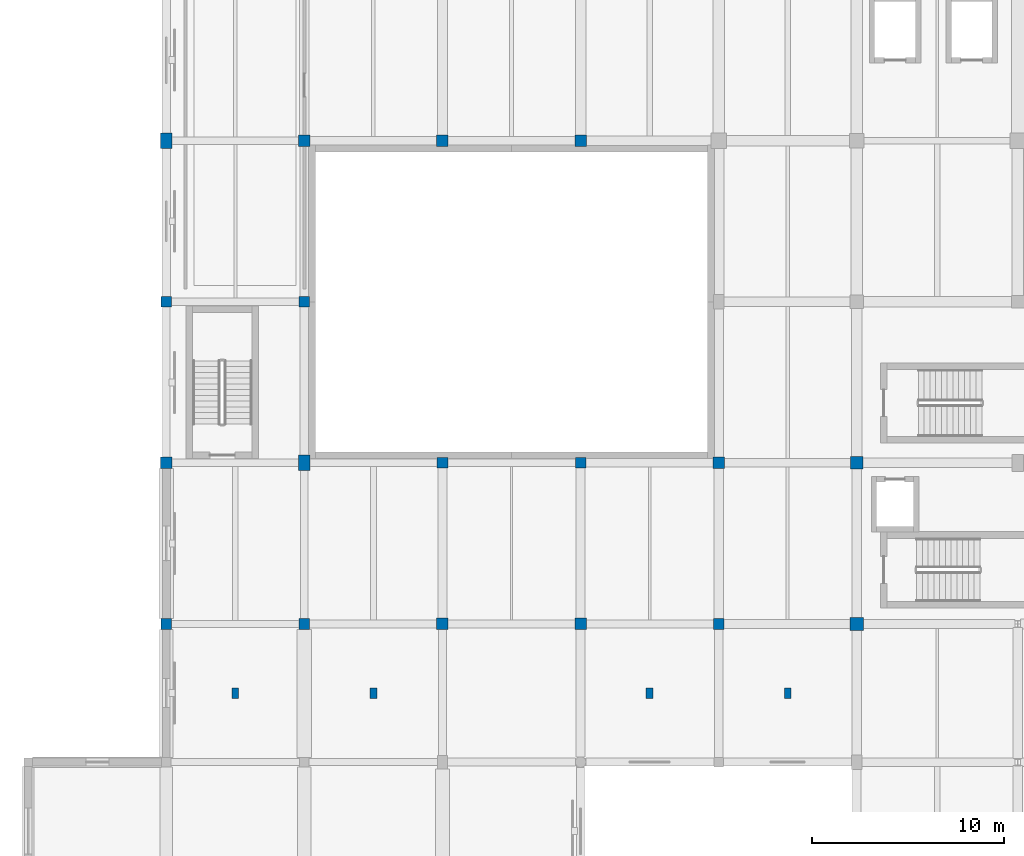
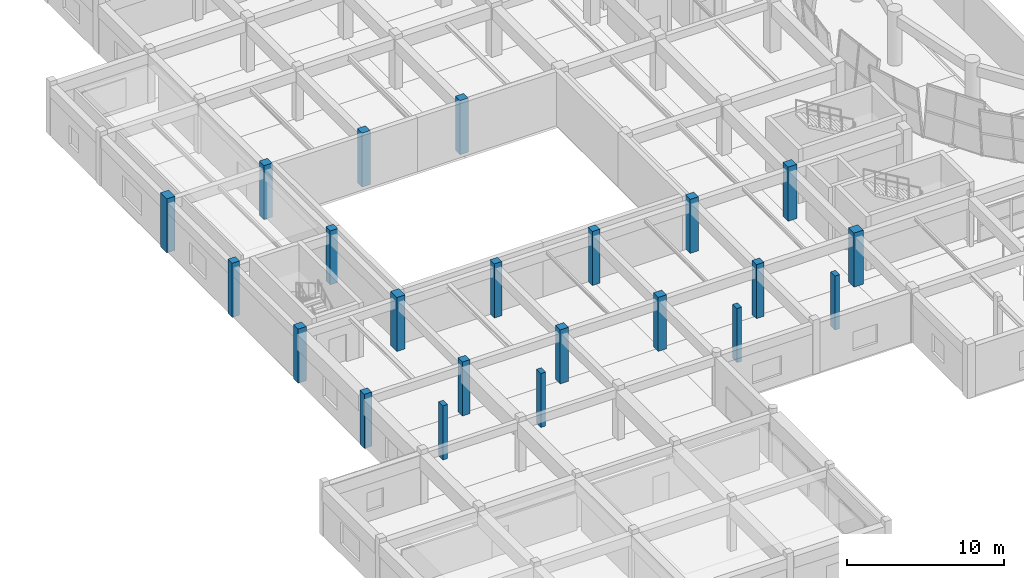
# One storey, part 3 of 71: 22 columns.
"""IFC4 building model written with IfcOpenShell, lengths in metres."""

from ifc_helpers import new_model, si_unit, direction, frame, origin, origin_2d, place, context, subcontext, project, spatial, rectangle, extrude, material, material_profile, profile_set, type_object, element, save


model = new_model("IFC4")

# Units and contexts
model_context = context("Model", 3, precision=1e-05, world=origin(), true_north=direction((0.0, 1.0)))
body_context = subcontext(model_context, "Body", "Model", "MODEL_VIEW")
ifc_project = project(units=[si_unit("LENGTHUNIT", "METRE"), si_unit("AREAUNIT", "SQUARE_METRE"), si_unit("VOLUMEUNIT", "CUBIC_METRE"), si_unit("PLANEANGLEUNIT", "RADIAN"), si_unit("MASSUNIT", "GRAM", prefix="KILO")], contexts=[model_context])

# Site, building, storey
site_placement = place(None, origin())
site = spatial("IfcSite", under=ifc_project, at=site_placement, CompositionType="ELEMENT")
building_placement = place(site_placement, origin())
building = spatial("IfcBuilding", under=site, at=building_placement, Name="Korsvaeld Concert Hall", CompositionType="ELEMENT")
storey_placement = place(building_placement, frame((0.0, 0.0, 4.800048828125)))
storey = spatial("IfcBuildingStorey", under=building, at=storey_placement, Name="L01", CompositionType="ELEMENT", Elevation=4.800048828125)

# Columns
ifc_material = material(Name="Concrete C40/50", Category="concrete")
ifc_material_profile_1 = material_profile(ifc_material, rectangle(XDim=0.550048828125, YDim=0.550048828125, at=origin_2d()), Name="RC 550x550")
ifc_profile_set_1 = profile_set([ifc_material_profile_1], Name="Concrete C40/50")
column_type_1 = type_object("IfcColumnType", Name="COL-RC-550x550", PredefinedType="COLUMN", material=ifc_profile_set_1)
for number, where, z_axis, x_axis, name in (
    (1, (14.39990234375, 43.199951171875, 0.0), (0.0, 0.0, 1.0), (1.0, 0.0, 0.0), "Column 3/G L01"),
    (2, (14.39990234375, 60.0, 0.0), (0.0, 0.0, 1.0), (1.0, 0.0, 0.0), "Column 3/J L01"),
    (3, (21.60009765625, 43.199951171875, 0.0), (0.0, 0.0, 1.0), (1.0, 0.0, 0.0), "Column 4/G L01"),
    (4, (21.60009765625, 60.0, 0.0), (0.0, 0.0, 1.0), (1.0, 0.0, 0.0), "Column 4/J L01"),
    (5, (28.800048828125, 51.60009765625, 0.0), (0.0, 0.0, 1.0), (1.0, 0.0, 0.0), "Column 5/H L01"),
    (6, (36.0, 51.60009765625, 0.0), (0.0, 0.0, 1.0), (1.0, 0.0, 0.0), "Column 6/H L01"),
    (7, (43.199951171875, 43.199951171875, 0.0), (0.0, 0.0, 1.0), (1.0, 0.0, 0.0), "Column 7/G L01"),
):
    element("IfcColumn", number, at=place(storey_placement, frame(where, z_axis=z_axis, x_axis=x_axis)), inside=storey, type_object=column_type_1, Name=name, PredefinedType="COLUMN", context=body_context, shape_type="SweptSolid", body=[
        extrude(rectangle(XDim=0.550048828125, YDim=0.550048828125, at=origin_2d()), origin(), (0.0, 0.0, 1.0), 4.199951171875),
    ])
ifc_material_profile_2 = material_profile(ifc_material, rectangle(XDim=0.60009765625, YDim=0.60009765625, at=origin_2d()), Name="RC 600x600")
ifc_profile_set_2 = profile_set([ifc_material_profile_2], Name="Concrete C40/50")
column_type_2 = type_object("IfcColumnType", Name="COL-RC-600x600", PredefinedType="COLUMN", material=ifc_profile_set_2)
for number, where, z_axis, x_axis, name in (
    (8, (14.39990234375, 51.60009765625, 0.0), (0.0, 0.0, 1.0), (1.0, 0.0, 0.0), "Column 3/H L01"),
    (9, (21.60009765625, 68.39990234375, 0.0), (0.0, 0.0, 1.0), (1.0, 0.0, 0.0), "Column 4/K L01"),
    (10, (28.800048828125, 43.199951171875, 0.0), (0.0, 0.0, 1.0), (1.0, 0.0, 0.0), "Column 5/G L01"),
    (11, (28.800048828125, 68.39990234375, 0.0), (0.0, 0.0, 1.0), (1.0, 0.0, 0.0), "Column 5/K L01"),
    (12, (36.0, 43.199951171875, 0.0), (0.0, 0.0, 1.0), (1.0, 0.0, 0.0), "Column 6/G L01"),
    (13, (36.0, 68.39990234375, 0.0), (0.0, 0.0, 1.0), (1.0, 0.0, 0.0), "Column 6/K L01"),
    (14, (43.199951171875, 51.60009765625, 0.0), (0.0, 0.0, 1.0), (1.0, 0.0, 0.0), "Column 7/H L01"),
):
    element("IfcColumn", number, at=place(storey_placement, frame(where, z_axis=z_axis, x_axis=x_axis)), inside=storey, type_object=column_type_2, Name=name, PredefinedType="COLUMN", context=body_context, shape_type="SweptSolid", body=[
        extrude(rectangle(XDim=0.60009765625, YDim=0.60009765625, at=origin_2d()), origin(), (0.0, 0.0, 1.0), 4.199951171875),
    ])
ifc_material_profile_3 = material_profile(ifc_material, rectangle(XDim=0.60009765625, YDim=0.800048828125, at=origin_2d()), Name="RC 600x800")
ifc_profile_set_3 = profile_set([ifc_material_profile_3], Name="Concrete C40/50")
column_type_3 = type_object("IfcColumnType", Name="COL-RC-600x800", PredefinedType="COLUMN", material=ifc_profile_set_3)
for number, where, z_axis, x_axis, name in (
    (15, (14.39990234375, 68.39990234375, 0.0), (0.0, 0.0, 1.0), (1.0, 0.0, 0.0), "Column 3/K L01"),
    (16, (21.60009765625, 51.60009765625, 0.0), (0.0, 0.0, 1.0), (1.0, 0.0, 0.0), "Column 4/H L01"),
):
    element("IfcColumn", number, at=place(storey_placement, frame(where, z_axis=z_axis, x_axis=x_axis)), inside=storey, type_object=column_type_3, Name=name, PredefinedType="COLUMN", context=body_context, shape_type="SweptSolid", body=[
        extrude(rectangle(XDim=0.60009765625, YDim=0.800048828125, at=origin_2d()), origin(), (0.0, 0.0, 1.0), 4.199951171875),
    ])
ifc_material_profile_4 = material_profile(ifc_material, rectangle(XDim=0.64990234375, YDim=0.64990234375, at=origin_2d()), Name="RC 650x650")
ifc_profile_set_4 = profile_set([ifc_material_profile_4], Name="Concrete C40/50")
column_type_4 = type_object("IfcColumnType", Name="COL-RC-650x650", PredefinedType="COLUMN", material=ifc_profile_set_4)
column_1_placement = place(storey_placement, frame((50.39990234375, 51.60009765625, 0.0), z_axis=(0.0, 0.0, 1.0), x_axis=(1.0, 0.0, 0.0)))
element("IfcColumn", 17, at=column_1_placement, inside=storey, type_object=column_type_4, Name="Column 8/H L01", PredefinedType="COLUMN", context=body_context, shape_type="SweptSolid", body=[
    extrude(rectangle(XDim=0.64990234375, YDim=0.64990234375, at=origin_2d()), origin(), (0.0, 0.0, 1.0), 4.199951171875),
])
ifc_material_profile_5 = material_profile(ifc_material, rectangle(XDim=0.699951171875, YDim=0.699951171875, at=origin_2d()), Name="RC 700x700")
ifc_profile_set_5 = profile_set([ifc_material_profile_5], Name="Concrete C40/50")
column_type_5 = type_object("IfcColumnType", Name="COL-RC-700x700", PredefinedType="COLUMN", material=ifc_profile_set_5)
column_2_placement = place(storey_placement, frame((50.39990234375, 43.199951171875, 0.0), z_axis=(0.0, 0.0, 1.0), x_axis=(1.0, 0.0, 0.0)))
element("IfcColumn", 18, at=column_2_placement, inside=storey, type_object=column_type_5, Name="Column 8/G L01", PredefinedType="COLUMN", context=body_context, shape_type="SweptSolid", body=[
    extrude(rectangle(XDim=0.699951171875, YDim=0.699951171875, at=origin_2d()), origin(), (0.0, 0.0, 1.0), 4.199951171875),
])
ifc_material_profile_6 = material_profile(ifc_material, rectangle(XDim=0.35009765625, YDim=0.550048828125, at=origin_2d()), Name="RC 350x550")
ifc_profile_set_6 = profile_set([ifc_material_profile_6], Name="Concrete C40/50")
column_type_6 = type_object("IfcColumnType", Name="PIL-RC-350x550", PredefinedType="PILASTER", material=ifc_profile_set_6)
for number, where, z_axis, x_axis, name in (
    (19, (39.60009765625, 39.60009765625, 0.0), (0.0, 0.0, 1.0), (1.0, 0.0, 0.0), "Colonnade pilaster PL-01 L01"),
    (20, (46.800048828125, 39.60009765625, 0.0), (0.0, 0.0, 1.0), (1.0, 0.0, 0.0), "Colonnade pilaster PL-02 L01"),
    (21, (18.0, 39.60009765625, 0.0), (0.0, 0.0, 1.0), (1.0, 0.0, 0.0), "Colonnade pilaster PL-07 L01"),
    (22, (25.199951171875, 39.60009765625, 0.0), (0.0, 0.0, 1.0), (1.0, 0.0, 0.0), "Colonnade pilaster PL-08 L01"),
):
    element("IfcColumn", number, at=place(storey_placement, frame(where, z_axis=z_axis, x_axis=x_axis)), inside=storey, type_object=column_type_6, Name=name, PredefinedType="PILASTER", context=body_context, shape_type="SweptSolid", body=[
        extrude(rectangle(XDim=0.35009765625, YDim=0.550048828125, at=origin_2d()), origin(), (0.0, 0.0, 1.0), 4.199951171875),
    ])

save(model, "model.ifc")
